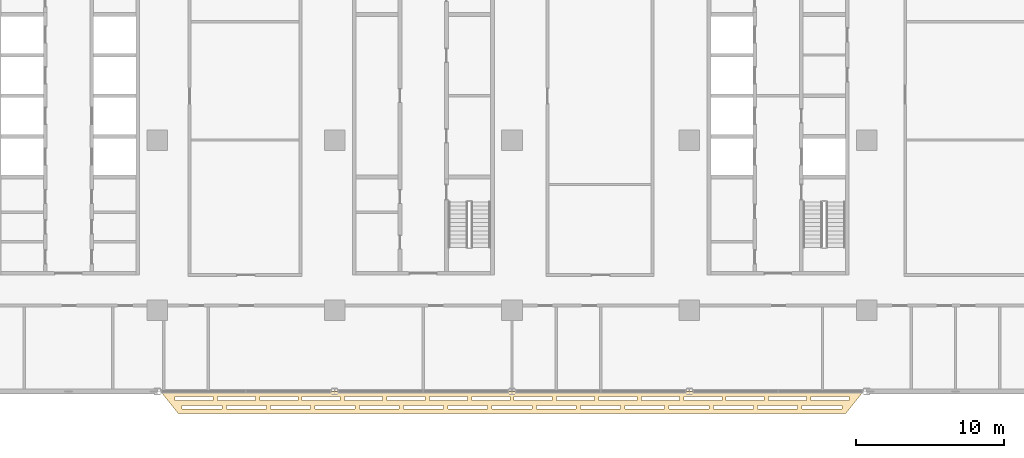
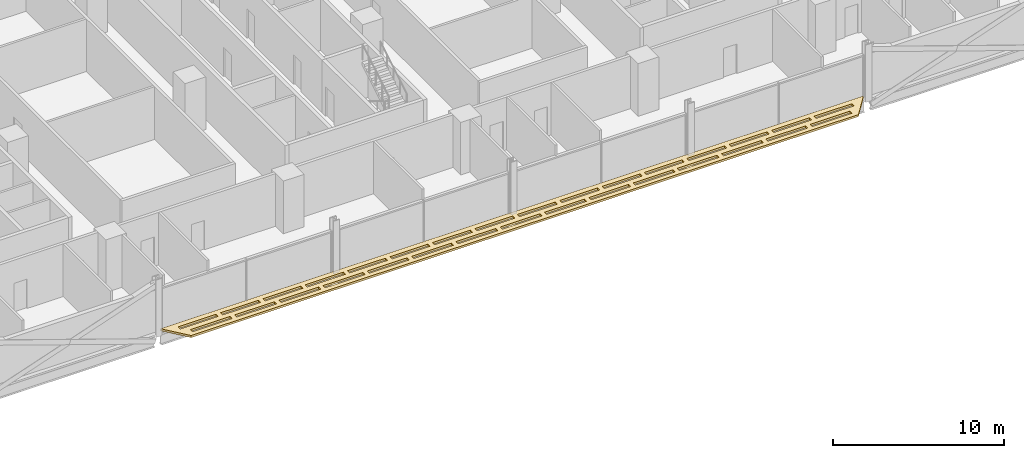
# One storey, part 25 of 29: 1 covering.
"""IFC4 building model written with IfcOpenShell, lengths in metres."""

from ifc_helpers import new_model, si_unit, direction, frame, origin, place, context, subcontext, project, spatial, polyline, outline, extrude, material, layer, layer_set, type_object, element, save


model = new_model("IFC4")

# Units and contexts
model_context = context("Model", 3, precision=1e-05, world=origin(), true_north=direction((0.0, 1.0)))
body_context = subcontext(model_context, "Body", "Model", "MODEL_VIEW")
ifc_project = project(units=[si_unit("LENGTHUNIT", "METRE"), si_unit("AREAUNIT", "SQUARE_METRE"), si_unit("VOLUMEUNIT", "CUBIC_METRE"), si_unit("PLANEANGLEUNIT", "RADIAN"), si_unit("MASSUNIT", "GRAM", prefix="KILO")], contexts=[model_context])

# Site, building, storey
site_placement = place(None, origin())
site = spatial("IfcSite", under=ifc_project, at=site_placement, CompositionType="ELEMENT")
building_placement = place(site_placement, origin())
building = spatial("IfcBuilding", under=site, at=building_placement, Name="Mahtab Terrace Research Tower", CompositionType="ELEMENT")
storey_placement = place(building_placement, frame((0.0, 0.0, 105.300048828125)))
storey = spatial("IfcBuildingStorey", under=building, at=storey_placement, Name="L24", CompositionType="ELEMENT", Elevation=105.300048828125)

# Covering
ifc_material = material(Name="Black anodised aluminium", Category="aluminium")
ifc_layer = layer(ifc_material, 0.14990234375)
ifc_layer_set = layer_set([ifc_layer], Name="Horizontal sunshade band")
covering_type = type_object("IfcCoveringType", Name="Horizontal sunshade band", PredefinedType="CLADDING", material=ifc_layer_set)
covering_placement = place(storey_placement, frame((0.0, 0.0, -0.150146484375)))
element("IfcCovering", 1, at=covering_placement, inside=storey, type_object=covering_type, Name="Sunshade band L24 25", PredefinedType="CLADDING", context=body_context, shape_type="SweptSolid", body=[
    extrude(outline(polyline([(-17.77197265625, -17.0), (29.77197265625, -17.0), (28.572021484375, -18.5), (-16.572021484375, -18.5), (-17.77197265625, -17.0)]), holes=[polyline([(-16.7919921875, -17.35009765625), (-14.22412109375, -17.35009765625), (-14.22412109375, -17.60009765625), (-16.7919921875, -17.60009765625), (-16.7919921875, -17.35009765625)]), polyline([(-13.924072265625, -17.35009765625), (-11.35693359375, -17.35009765625), (-11.35693359375, -17.60009765625), (-13.924072265625, -17.60009765625), (-13.924072265625, -17.35009765625)]), polyline([(-11.055908203125, -17.35009765625), (-8.489013671875, -17.35009765625), (-8.489013671875, -17.60009765625), (-11.055908203125, -17.60009765625), (-11.055908203125, -17.35009765625)]), polyline([(-8.18896484375, -17.35009765625), (-5.62109375, -17.35009765625), (-5.62109375, -17.60009765625), (-8.18896484375, -17.60009765625), (-8.18896484375, -17.35009765625)]), polyline([(-5.321044921875, -17.35009765625), (-2.7529296875, -17.35009765625), (-2.7529296875, -17.60009765625), (-5.321044921875, -17.60009765625), (-5.321044921875, -17.35009765625)]), polyline([(-2.452880859375, -17.35009765625), (0.114013671875, -17.35009765625), (0.114013671875, -17.60009765625), (-2.452880859375, -17.60009765625), (-2.452880859375, -17.35009765625)]), polyline([(0.4140625, -17.35009765625), (2.98193359375, -17.35009765625), (2.98193359375, -17.60009765625), (0.4140625, -17.60009765625), (0.4140625, -17.35009765625)]), polyline([(3.281982421875, -17.35009765625), (5.85009765625, -17.35009765625), (5.85009765625, -17.60009765625), (3.281982421875, -17.60009765625), (3.281982421875, -17.35009765625)]), polyline([(6.14990234375, -17.35009765625), (8.718017578125, -17.35009765625), (8.718017578125, -17.60009765625), (6.14990234375, -17.60009765625), (6.14990234375, -17.35009765625)]), polyline([(9.01806640625, -17.35009765625), (11.5849609375, -17.35009765625), (11.5849609375, -17.60009765625), (9.01806640625, -17.60009765625), (9.01806640625, -17.35009765625)]), polyline([(11.885009765625, -17.35009765625), (14.452880859375, -17.35009765625), (14.452880859375, -17.60009765625), (11.885009765625, -17.60009765625), (11.885009765625, -17.35009765625)]), polyline([(14.7529296875, -17.35009765625), (17.321044921875, -17.35009765625), (17.321044921875, -17.60009765625), (14.7529296875, -17.60009765625), (14.7529296875, -17.35009765625)]), polyline([(17.62109375, -17.35009765625), (20.18896484375, -17.35009765625), (20.18896484375, -17.60009765625), (17.62109375, -17.60009765625), (17.62109375, -17.35009765625)]), polyline([(20.489013671875, -17.35009765625), (23.055908203125, -17.35009765625), (23.055908203125, -17.60009765625), (20.489013671875, -17.60009765625), (20.489013671875, -17.35009765625)]), polyline([(23.35595703125, -17.35009765625), (25.924072265625, -17.35009765625), (25.924072265625, -17.60009765625), (23.35595703125, -17.60009765625), (23.35595703125, -17.35009765625)]), polyline([(26.22412109375, -17.35009765625), (28.7919921875, -17.35009765625), (28.7919921875, -17.60009765625), (26.22412109375, -17.60009765625), (26.22412109375, -17.35009765625)]), polyline([(-16.31201171875, -17.949951171875), (-13.616943359375, -17.949951171875), (-13.616943359375, -18.199951171875), (-16.31201171875, -18.199951171875), (-16.31201171875, -17.949951171875)]), polyline([(-13.31689453125, -17.949951171875), (-10.6220703125, -17.949951171875), (-10.6220703125, -18.199951171875), (-13.31689453125, -18.199951171875), (-13.31689453125, -17.949951171875)]), polyline([(-10.322021484375, -17.949951171875), (-7.626953125, -17.949951171875), (-7.626953125, -18.199951171875), (-10.322021484375, -18.199951171875), (-10.322021484375, -17.949951171875)]), polyline([(-7.326904296875, -17.949951171875), (-4.632080078125, -17.949951171875), (-4.632080078125, -18.199951171875), (-7.326904296875, -18.199951171875), (-7.326904296875, -17.949951171875)]), polyline([(-4.33203125, -17.949951171875), (-1.636962890625, -17.949951171875), (-1.636962890625, -18.199951171875), (-4.33203125, -18.199951171875), (-4.33203125, -17.949951171875)]), polyline([(-1.3369140625, -17.949951171875), (1.35791015625, -17.949951171875), (1.35791015625, -18.199951171875), (-1.3369140625, -18.199951171875), (-1.3369140625, -17.949951171875)]), polyline([(1.657958984375, -17.949951171875), (4.35302734375, -17.949951171875), (4.35302734375, -18.199951171875), (1.657958984375, -18.199951171875), (1.657958984375, -17.949951171875)]), polyline([(4.653076171875, -17.949951171875), (7.346923828125, -17.949951171875), (7.346923828125, -18.199951171875), (4.653076171875, -18.199951171875), (4.653076171875, -17.949951171875)]), polyline([(7.64697265625, -17.949951171875), (10.342041015625, -17.949951171875), (10.342041015625, -18.199951171875), (7.64697265625, -18.199951171875), (7.64697265625, -17.949951171875)]), polyline([(10.64208984375, -17.949951171875), (13.3369140625, -17.949951171875), (13.3369140625, -18.199951171875), (10.64208984375, -18.199951171875), (10.64208984375, -17.949951171875)]), polyline([(13.636962890625, -17.949951171875), (16.33203125, -17.949951171875), (16.33203125, -18.199951171875), (13.636962890625, -18.199951171875), (13.636962890625, -17.949951171875)]), polyline([(16.632080078125, -17.949951171875), (19.326904296875, -17.949951171875), (19.326904296875, -18.199951171875), (16.632080078125, -18.199951171875), (16.632080078125, -17.949951171875)]), polyline([(19.626953125, -17.949951171875), (22.322021484375, -17.949951171875), (22.322021484375, -18.199951171875), (19.626953125, -18.199951171875), (19.626953125, -17.949951171875)]), polyline([(22.6220703125, -17.949951171875), (25.31689453125, -17.949951171875), (25.31689453125, -18.199951171875), (22.6220703125, -18.199951171875), (22.6220703125, -17.949951171875)]), polyline([(25.616943359375, -17.949951171875), (28.31201171875, -17.949951171875), (28.31201171875, -18.199951171875), (25.616943359375, -18.199951171875), (25.616943359375, -17.949951171875)])]), origin(), (0.0, 0.0, 1.0), 0.150146484375),
])

save(model, "model.ifc")
